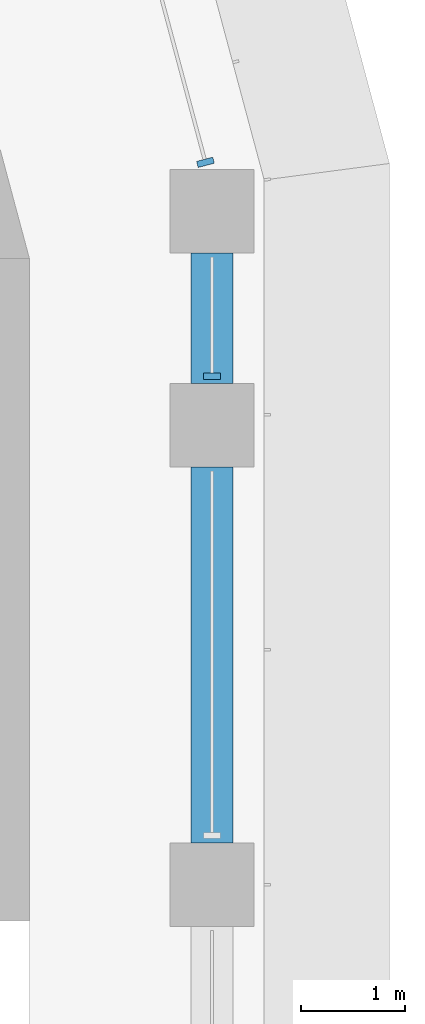
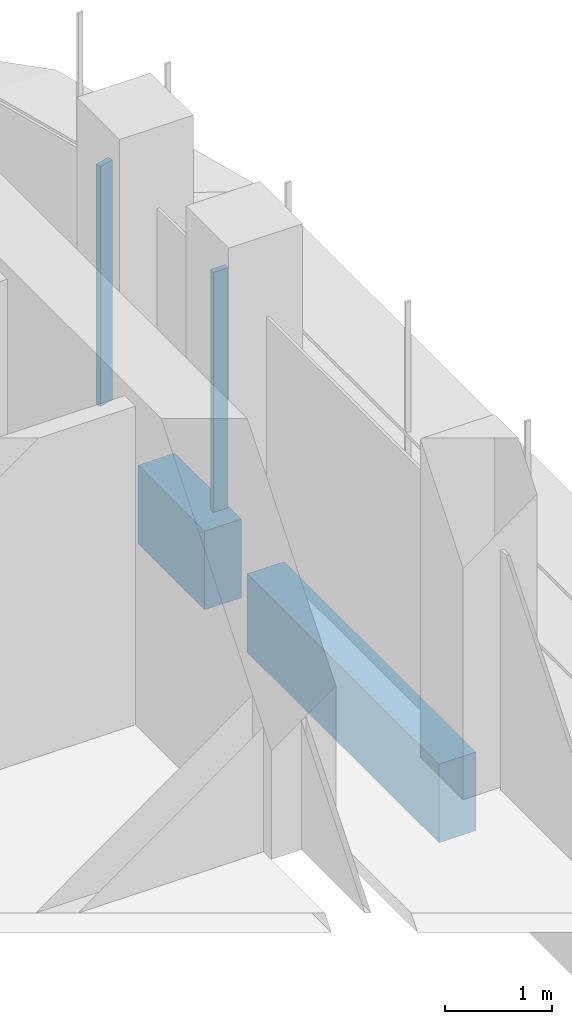
# One storey, part 9 of 20: 2 beams, 2 members, 2 elements without a shape of their own.
"""IFC4 building model written with IfcOpenShell, lengths in metres."""

from ifc_helpers import new_model, si_unit, direction, frame, origin, origin_2d, place, context, subcontext, project, spatial, polyline, rectangle, outline, extrude, source, transform, mapped, material, material_profile, profile_set, type_object, element, aggregate, save


model = new_model("IFC4")

# Units and contexts
model_context = context("Model", 3, precision=1e-05, world=origin(), true_north=direction((0.0, 1.0)))
body_context = subcontext(model_context, "Body", "Model", "MODEL_VIEW")
ifc_project = project(units=[si_unit("LENGTHUNIT", "METRE"), si_unit("AREAUNIT", "SQUARE_METRE"), si_unit("VOLUMEUNIT", "CUBIC_METRE"), si_unit("PLANEANGLEUNIT", "RADIAN"), si_unit("MASSUNIT", "GRAM", prefix="KILO")], contexts=[model_context])

# Site, building, storey
site_placement = place(None, origin())
site = spatial("IfcSite", under=ifc_project, at=site_placement, CompositionType="ELEMENT")
building_placement = place(site_placement, origin())
building = spatial("IfcBuilding", under=site, at=building_placement, Name="Zarbagh Exchange Tower", CompositionType="ELEMENT")
storey_placement = place(building_placement, frame((0.0, 0.0, 141.0)))
storey = spatial("IfcBuildingStorey", under=building, at=storey_placement, Name="L33", CompositionType="ELEMENT", Elevation=141.0)

# Beams
ifc_material_1 = material(Name="Concrete C50/60", Category="concrete")
ifc_material_profile = material_profile(ifc_material_1, rectangle(XDim=0.39990234375, YDim=0.89990234375, at=origin_2d()), Name="RC spandrel beam 400 x 900 C50/60")
ifc_profile_set = profile_set([ifc_material_profile], Name="Concrete C50/60")
beam_type = type_object("IfcBeamType", Name="RC spandrel beam 400 x 900 C50/60", PredefinedType="SPANDREL", material=ifc_profile_set)
beam_1_placement = place(storey_placement, frame((6.25, 26.300048828125, -0.60009765625), z_axis=(0.0, -1.0, 0.0), x_axis=(1.0, 0.0, 0.0)))
element("IfcBeam", 1, at=beam_1_placement, inside=storey, type_object=beam_type, Name="RC spandrel beam", PredefinedType="SPANDREL", context=body_context, shape_type="SweptSolid", body=[
    extrude(rectangle(XDim=0.39990234375, YDim=0.89990234375, at=origin_2d()), origin(), (0.0, 0.0, 1.0), 1.25),
])
beam_2_placement = place(storey_placement, frame((6.25, 24.25, -0.60009765625), z_axis=(0.0, -1.0, 0.0), x_axis=(1.0, 0.0, 0.0)))
element("IfcBeam", 2, at=beam_2_placement, inside=storey, type_object=beam_type, Name="RC spandrel beam", PredefinedType="SPANDREL", context=body_context, shape_type="SweptSolid", body=[
    extrude(rectangle(XDim=0.39990234375, YDim=0.89990234375, at=origin_2d()), origin(), (0.0, 0.0, 1.0), 3.60009765625),
])

# Curtain wall, member
ifc_material_2 = material(Name="Anodised aluminium frame and glazing", Category="aluminium")
curtain_wall_type = type_object("IfcCurtainWallType", Name="CWB Ribbon glazing, upper zones", PredefinedType="NOTDEFINED", material=ifc_material_2)
curtain_wall_1_placement = place(storey_placement, origin())
curtain_wall_1 = element("IfcCurtainWall", 3, at=curtain_wall_1_placement, inside=storey, type_object=curtain_wall_type, Name="CWB20 curtain wall", PredefinedType="NOTDEFINED")
ifc_material_3 = material(Name="Anodised aluminium frame", Category="aluminium")
member_type = type_object("IfcMemberType", Name="MUB Mullion, anodised aluminium frame", PredefinedType="MULLION", material=ifc_material_3)
shared_shape = source(origin(), body_context, "Body", "SweptSolid", [
    extrude(outline(polyline([(0.0, -0.080078125), (0.06005859375, -0.080078125), (0.06005859375, 0.080078125), (0.0, 0.080078125), (0.0, -0.080078125)])), origin(), (0.0, 0.0, 1.0), 2.75),
])
placement = place(storey_placement, origin())
member_1 = element("IfcMember", 4, at=placement, type_object=member_type, Name="CWB20 mullion 4.1", PredefinedType="MULLION", context=body_context, shape_type="MappedRepresentation", body=[
    mapped(shared_shape, transform((6.25, 25.090087890625, 0.0), x_axis=(0.0, 1.0, 0.0), y_axis=(-1.0, 0.0, 0.0), z_axis=(0.0, 0.0, 1.0))),
])
aggregate(curtain_wall_1, [member_1])

curtain_wall_2_placement = place(storey_placement, origin())
curtain_wall_2 = element("IfcCurtainWall", 5, at=curtain_wall_2_placement, inside=storey, type_object=curtain_wall_type, Name="CWB21 curtain wall", PredefinedType="NOTDEFINED")
member_2 = element("IfcMember", 6, at=placement, type_object=member_type, Name="CWB21 mullion 1.1", PredefinedType="MULLION", context=body_context, shape_type="MappedRepresentation", body=[
    mapped(shared_shape, transform((6.19482421875, 27.139892578125, 0.0), x_axis=(-0.258824779902, 0.965924289636, 0.0), y_axis=(-0.965924289636, -0.258824779902, 0.0), z_axis=(0.0, 0.0, 1.0))),
])
aggregate(curtain_wall_2, [member_2])

save(model, "model.ifc")
